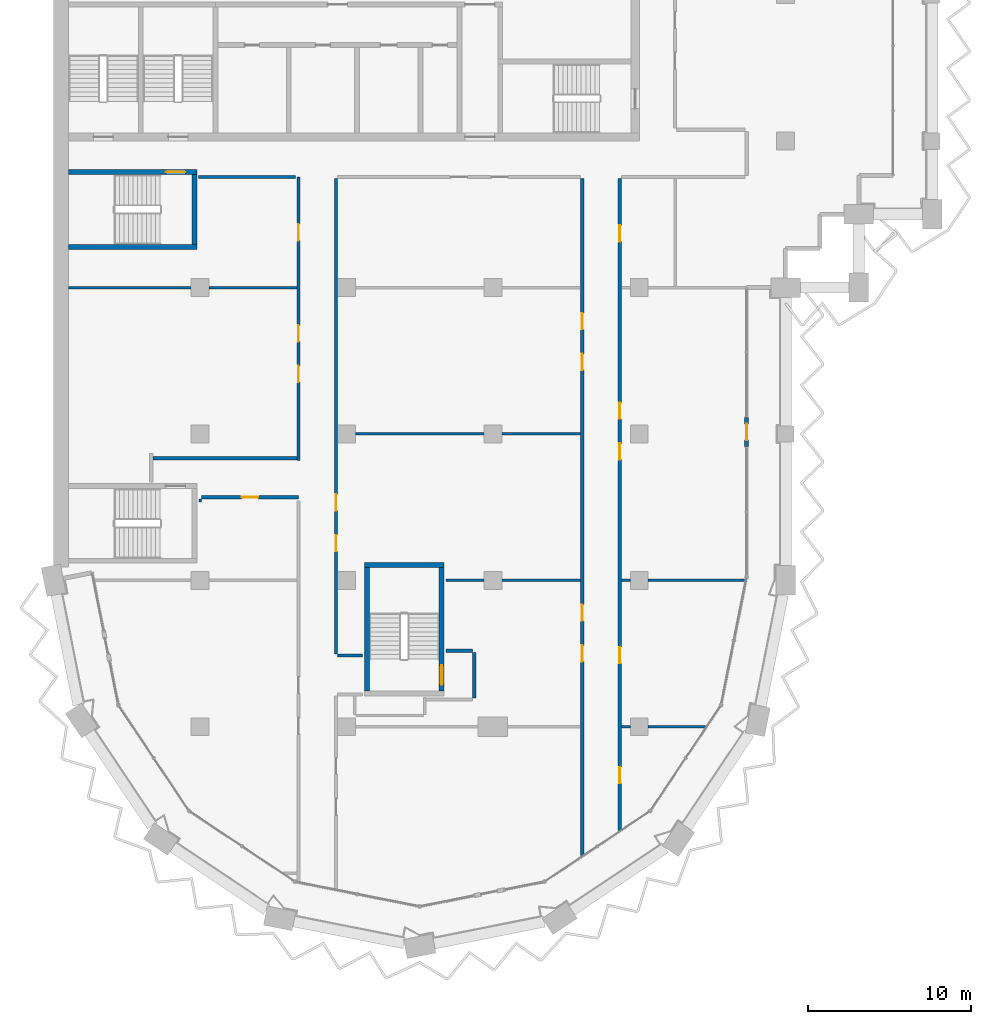
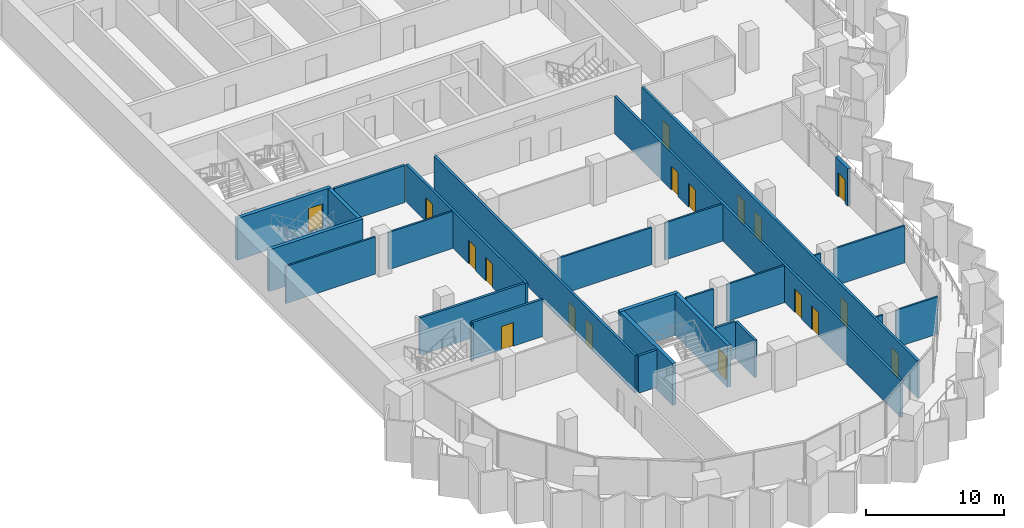
# One storey, part 8 of 17: 28 walls, 18 doors, 18 openings.
"""IFC4 building model written with IfcOpenShell, lengths in metres."""

from ifc_helpers import new_model, si_unit, direction, frame, frame_2d, origin, place, context, subcontext, project, spatial, rectangle, extrude, material, layer, layer_set, type_object, element, fill, save


model = new_model("IFC4")

# Units and contexts
model_context = context("Model", 3, precision=1e-05, world=origin(), true_north=direction((0.0, 1.0)))
body_context = subcontext(model_context, "Body", "Model", "MODEL_VIEW")
ifc_project = project(units=[si_unit("LENGTHUNIT", "METRE"), si_unit("AREAUNIT", "SQUARE_METRE"), si_unit("VOLUMEUNIT", "CUBIC_METRE"), si_unit("PLANEANGLEUNIT", "RADIAN"), si_unit("MASSUNIT", "GRAM", prefix="KILO")], contexts=[model_context])

# Site, building, storey
site_placement = place(None, origin())
site = spatial("IfcSite", under=ifc_project, at=site_placement, CompositionType="ELEMENT")
building_placement = place(site_placement, origin())
building = spatial("IfcBuilding", under=site, at=building_placement, Name="Hunhe Ridgeline Campus", CompositionType="ELEMENT")
storey_placement = place(building_placement, frame((0.0, 0.0, 190.199951171875)))
storey = spatial("IfcBuildingStorey", under=building, at=storey_placement, Name="L48", CompositionType="ELEMENT", Elevation=190.199951171875)

# Walls
ifc_material_1 = material(Name="Gypsum board partition")
ifc_layer_1 = layer(ifc_material_1, 0.199951171875)
ifc_layer_set_1 = layer_set([ifc_layer_1], Name="Corridor partition 200 gypsum board on steel studs")
wall_type_1 = type_object("IfcWallType", Name="Corridor partition 200 gypsum board on steel studs", PredefinedType="PARTITIONING", material=ifc_layer_set_1)
wall_1_placement = place(storey_placement, frame((17.449951171875, 31.375, 0.0), z_axis=(0.0, 0.0, 1.0), x_axis=(1.0, 0.0, 0.0)))
element("IfcWall", 1, at=wall_1_placement, inside=storey, type_object=wall_type_1, Name="F-L48-wall-009", PredefinedType="PARTITIONING", context=body_context, shape_type="SweptSolid", body=[
    extrude(rectangle(XDim=1.546142578125, YDim=0.199951171875, at=frame_2d((0.77294921875, 0.0))), origin(), (0.0, 0.0, 1.0), 3.300048828125),
])
wall_2_placement = place(storey_placement, frame((24.10400390625, 31.675048828125, 0.0), z_axis=(0.0, 0.0, 1.0), x_axis=(1.0, 0.0, 0.0)))
element("IfcWall", 2, at=wall_2_placement, inside=storey, type_object=wall_type_1, Name="F-L48-wall-010", PredefinedType="PARTITIONING", context=body_context, shape_type="SweptSolid", body=[
    extrude(rectangle(XDim=1.64599609375, YDim=0.199951171875, at=frame_2d((0.822998046875, 0.0))), origin(), (0.0, 0.0, 1.0), 3.300048828125),
])

# Wall, opening, door
wall_3_placement = place(storey_placement, frame((15.050048828125, 41.10009765625, 0.0), z_axis=(0.0, 0.0, 1.0), x_axis=(-1.0, 0.0, 0.0)))
wall_3 = element("IfcWall", 3, at=wall_3_placement, inside=storey, type_object=wall_type_1, Name="F-L48-wall-017", PredefinedType="PARTITIONING", context=body_context, shape_type="SweptSolid", body=[
    extrude(rectangle(XDim=5.97509765625, YDim=0.199951171875, at=frame_2d((2.987548828125, 0.0))), origin(), (0.0, 0.0, 1.0), 3.300048828125),
])
opening_1_placement = place(wall_3_placement, frame((2.487548828125, 0.0, 0.0)))
opening_1 = element("IfcOpeningElement", 4, at=opening_1_placement, cuts=wall_3, Name="Opening RD1-011", PredefinedType="OPENING", context=body_context, shape_type="SweptSolid", body=[
    extrude(rectangle(XDim=1.0, YDim=2.10009765625, at=frame_2d((0.5, 1.050048828125))), frame((0.0, 0.10009765625, 0.0), z_axis=(0.0, -1.0, 0.0), x_axis=(1.0, 0.0, 0.0)), (0.0, 0.0, 1.0), 0.199951171875),
])
ifc_material_2 = material(Name="Timber door leaf", Category="wood")
door_type_1 = type_object("IfcDoorType", Name="Single fire door 1000x2100 timber FD60", OperationType="NOTDEFINED", PredefinedType="DOOR", material=ifc_material_2)
door_1_placement = place(opening_1_placement, origin())
door_1 = element("IfcDoor", 5, at=door_1_placement, inside=storey, type_object=door_type_1, Name="F-L48-door-011", OperationType="SINGLE_SWING_LEFT", OverallHeight=2.10009765625, OverallWidth=1.0, PredefinedType="DOOR", context=body_context, shape_type="SweptSolid", body=[
    extrude(rectangle(XDim=1.0, YDim=2.10009765625, at=frame_2d((0.5, 1.050048828125))), frame((0.0, 0.02490234375, 0.0), z_axis=(0.0, -1.0, 0.0), x_axis=(1.0, 0.0, 0.0)), (0.0, 0.0, 1.0), 0.050048828125),
])
fill(opening_1, door_1)

# Walls
wall_4_placement = place(storey_placement, frame((6.10009765625, 43.5, 0.0), z_axis=(0.0, 0.0, 1.0), x_axis=(1.0, 0.0, 0.0)))
element("IfcWall", 6, at=wall_4_placement, inside=storey, type_object=wall_type_1, Name="F-L48-wall-018", PredefinedType="PARTITIONING", context=body_context, shape_type="SweptSolid", body=[
    extrude(rectangle(XDim=8.849853515625, YDim=0.199951171875, at=frame_2d((4.4248046875, 0.0))), origin(), (0.0, 0.0, 1.0), 3.300048828125),
])
wall_5_placement = place(storey_placement, frame((14.850341796875, 60.800048828125, 0.0), z_axis=(0.0, 0.0, 1.0), x_axis=(-1.0, 0.0, 0.0)))
element("IfcWall", 7, at=wall_5_placement, inside=storey, type_object=wall_type_1, Name="F-L48-wall-027", PredefinedType="PARTITIONING", context=body_context, shape_type="SweptSolid", body=[
    extrude(rectangle(XDim=5.9462890625, YDim=0.199951171875, at=frame_2d((2.97314453125, 0.0))), origin(), (0.0, 0.0, 1.0), 3.300048828125),
])

# Wall, openings, doors
wall_6_placement = place(storey_placement, frame((15.050048828125, 43.37451171875, 0.0), z_axis=(0.0, 0.0, 1.0), x_axis=(0.0, 1.0, 0.0)))
wall_6 = element("IfcWall", 8, at=wall_6_placement, inside=storey, type_object=wall_type_1, Name="F-L48-wall-038", PredefinedType="PARTITIONING", context=body_context, shape_type="SweptSolid", body=[
    extrude(rectangle(XDim=17.425537109375, YDim=0.199951171875, at=frame_2d((8.712890625, 0.0))), origin(), (0.0, 0.0, 1.0), 3.300048828125),
])
opening_2_placement = place(wall_6_placement, frame((4.803466796875, 0.0, 0.0)))
opening_2 = element("IfcOpeningElement", 9, at=opening_2_placement, cuts=wall_6, Name="Opening RD1-014", PredefinedType="OPENING", context=body_context, shape_type="SweptSolid", body=[
    extrude(rectangle(XDim=1.0, YDim=2.10009765625, at=frame_2d((0.5, 1.050048828125))), frame((0.0, 0.10009765625, 0.0), z_axis=(0.0, -1.0, 0.0), x_axis=(1.0, 0.0, 0.0)), (0.0, 0.0, 1.0), 0.199951171875),
])
opening_3_placement = place(wall_6_placement, frame((7.303466796875, 0.0, 0.0)))
opening_3 = element("IfcOpeningElement", 10, at=opening_3_placement, cuts=wall_6, Name="Opening RD1-016", PredefinedType="OPENING", context=body_context, shape_type="SweptSolid", body=[
    extrude(rectangle(XDim=1.0, YDim=2.10009765625, at=frame_2d((0.5, 1.050048828125))), frame((0.0, 0.10009765625, 0.0), z_axis=(0.0, -1.0, 0.0), x_axis=(1.0, 0.0, 0.0)), (0.0, 0.0, 1.0), 0.199951171875),
])
opening_4_placement = place(wall_6_placement, frame((13.51611328125, 0.0, 0.0)))
opening_4 = element("IfcOpeningElement", 11, at=opening_4_placement, cuts=wall_6, Name="Opening RD1-019", PredefinedType="OPENING", context=body_context, shape_type="SweptSolid", body=[
    extrude(rectangle(XDim=1.0, YDim=2.10009765625, at=frame_2d((0.5, 1.050048828125))), frame((0.0, 0.10009765625, 0.0), z_axis=(0.0, -1.0, 0.0), x_axis=(1.0, 0.0, 0.0)), (0.0, 0.0, 1.0), 0.199951171875),
])
door_2_placement = place(opening_2_placement, frame((1.0, 0.0, 0.0), z_axis=(0.0, 0.0, 1.0), x_axis=(-1.0, 0.0, 0.0)))
door_2 = element("IfcDoor", 12, at=door_2_placement, inside=storey, type_object=door_type_1, Name="F-L48-door-014", OperationType="SINGLE_SWING_RIGHT", OverallHeight=2.10009765625, OverallWidth=1.0, PredefinedType="DOOR", context=body_context, shape_type="SweptSolid", body=[
    extrude(rectangle(XDim=1.0, YDim=2.10009765625, at=frame_2d((0.5, 1.050048828125))), frame((0.0, 0.02490234375, 0.0), z_axis=(0.0, -1.0, 0.0), x_axis=(1.0, 0.0, 0.0)), (0.0, 0.0, 1.0), 0.050048828125),
])
fill(opening_2, door_2)
door_3_placement = place(opening_3_placement, frame((1.0, 0.0, 0.0), z_axis=(0.0, 0.0, 1.0), x_axis=(-1.0, 0.0, 0.0)))
door_3 = element("IfcDoor", 13, at=door_3_placement, inside=storey, type_object=door_type_1, Name="F-L48-door-016", OperationType="SINGLE_SWING_LEFT", OverallHeight=2.10009765625, OverallWidth=1.0, PredefinedType="DOOR", context=body_context, shape_type="SweptSolid", body=[
    extrude(rectangle(XDim=1.0, YDim=2.10009765625, at=frame_2d((0.5, 1.050048828125))), frame((0.0, 0.02490234375, 0.0), z_axis=(0.0, -1.0, 0.0), x_axis=(1.0, 0.0, 0.0)), (0.0, 0.0, 1.0), 0.050048828125),
])
fill(opening_3, door_3)
door_4_placement = place(opening_4_placement, origin())
door_4 = element("IfcDoor", 14, at=door_4_placement, inside=storey, type_object=door_type_1, Name="F-L48-door-019", OperationType="SINGLE_SWING_LEFT", OverallHeight=2.10009765625, OverallWidth=1.0, PredefinedType="DOOR", context=body_context, shape_type="SweptSolid", body=[
    extrude(rectangle(XDim=1.0, YDim=2.10009765625, at=frame_2d((0.5, 1.050048828125))), frame((0.0, 0.02490234375, 0.0), z_axis=(0.0, -1.0, 0.0), x_axis=(1.0, 0.0, 0.0)), (0.0, 0.0, 1.0), 0.050048828125),
])
fill(opening_4, door_4)

wall_7_placement = place(storey_placement, frame((17.35009765625, 60.699951171875, 0.0), z_axis=(0.0, 0.0, 1.0), x_axis=(0.0, -1.0, 0.0)))
wall_7 = element("IfcWall", 15, at=wall_7_placement, inside=storey, type_object=wall_type_1, Name="F-L48-wall-040", PredefinedType="PARTITIONING", context=body_context, shape_type="SweptSolid", body=[
    extrude(rectangle(XDim=29.224853515625, YDim=0.199951171875, at=frame_2d((14.6123046875, 0.0))), origin(), (0.0, 0.0, 1.0), 3.300048828125),
])
opening_5_placement = place(wall_7_placement, frame((21.922607421875, 0.0, 0.0)))
opening_5 = element("IfcOpeningElement", 16, at=opening_5_placement, cuts=wall_7, Name="Opening RD1-009", PredefinedType="OPENING", context=body_context, shape_type="SweptSolid", body=[
    extrude(rectangle(XDim=1.0, YDim=2.10009765625, at=frame_2d((0.5, 1.050048828125))), frame((0.0, 0.10009765625, 0.0), z_axis=(0.0, -1.0, 0.0), x_axis=(1.0, 0.0, 0.0)), (0.0, 0.0, 1.0), 0.199951171875),
])
opening_6_placement = place(wall_7_placement, frame((19.422607421875, 0.0, 0.0)))
opening_6 = element("IfcOpeningElement", 17, at=opening_6_placement, cuts=wall_7, Name="Opening RD1-010", PredefinedType="OPENING", context=body_context, shape_type="SweptSolid", body=[
    extrude(rectangle(XDim=1.0, YDim=2.10009765625, at=frame_2d((0.5, 1.050048828125))), frame((0.0, 0.10009765625, 0.0), z_axis=(0.0, -1.0, 0.0), x_axis=(1.0, 0.0, 0.0)), (0.0, 0.0, 1.0), 0.199951171875),
])
door_5_placement = place(opening_5_placement, frame((1.0, 0.0, 0.0), z_axis=(0.0, 0.0, 1.0), x_axis=(-1.0, 0.0, 0.0)))
door_5 = element("IfcDoor", 18, at=door_5_placement, inside=storey, type_object=door_type_1, Name="F-L48-door-009", OperationType="SINGLE_SWING_LEFT", OverallHeight=2.10009765625, OverallWidth=1.0, PredefinedType="DOOR", context=body_context, shape_type="SweptSolid", body=[
    extrude(rectangle(XDim=1.0, YDim=2.10009765625, at=frame_2d((0.5, 1.050048828125))), frame((0.0, 0.02490234375, 0.0), z_axis=(0.0, -1.0, 0.0), x_axis=(1.0, 0.0, 0.0)), (0.0, 0.0, 1.0), 0.050048828125),
])
fill(opening_5, door_5)
door_6_placement = place(opening_6_placement, frame((1.0, 0.0, 0.0), z_axis=(0.0, 0.0, 1.0), x_axis=(-1.0, 0.0, 0.0)))
door_6 = element("IfcDoor", 19, at=door_6_placement, inside=storey, type_object=door_type_1, Name="F-L48-door-010", OperationType="SINGLE_SWING_RIGHT", OverallHeight=2.10009765625, OverallWidth=1.0, PredefinedType="DOOR", context=body_context, shape_type="SweptSolid", body=[
    extrude(rectangle(XDim=1.0, YDim=2.10009765625, at=frame_2d((0.5, 1.050048828125))), frame((0.0, 0.02490234375, 0.0), z_axis=(0.0, -1.0, 0.0), x_axis=(1.0, 0.0, 0.0)), (0.0, 0.0, 1.0), 0.050048828125),
])
fill(opening_6, door_6)

# Wall
wall_8_placement = place(storey_placement, frame((25.85009765625, 31.574951171875, 0.0), z_axis=(0.0, 0.0, 1.0), x_axis=(0.0, -1.0, 0.0)))
element("IfcWall", 20, at=wall_8_placement, inside=storey, type_object=wall_type_1, Name="F-L48-wall-043", PredefinedType="PARTITIONING", context=body_context, shape_type="SweptSolid", body=[
    extrude(rectangle(XDim=2.800048828125, YDim=0.199951171875, at=frame_2d((1.39990234375, 0.0))), origin(), (0.0, 0.0, 1.0), 3.300048828125),
])

# Wall, openings, doors
wall_9_placement = place(storey_placement, frame((32.5, 19.09375, 0.0), z_axis=(0.0, 0.0, 1.0), x_axis=(0.0, 1.0, 0.0)))
wall_9 = element("IfcWall", 21, at=wall_9_placement, inside=storey, type_object=wall_type_1, Name="F-L48-wall-044", PredefinedType="PARTITIONING", context=body_context, shape_type="SweptSolid", body=[
    extrude(rectangle(XDim=41.606201171875, YDim=0.199951171875, at=frame_2d((20.80322265625, 0.0))), origin(), (0.0, 0.0, 1.0), 3.300048828125),
])
opening_7_placement = place(wall_9_placement, frame((11.90673828125, 0.0, 0.0)))
opening_7 = element("IfcOpeningElement", 22, at=opening_7_placement, cuts=wall_9, Name="Opening RD1-007", PredefinedType="OPENING", context=body_context, shape_type="SweptSolid", body=[
    extrude(rectangle(XDim=1.0, YDim=2.10009765625, at=frame_2d((0.5, 1.050048828125))), frame((0.0, 0.10009765625, 0.0), z_axis=(0.0, -1.0, 0.0), x_axis=(1.0, 0.0, 0.0)), (0.0, 0.0, 1.0), 0.199951171875),
])
opening_8_placement = place(wall_9_placement, frame((14.40673828125, 0.0, 0.0)))
opening_8 = element("IfcOpeningElement", 23, at=opening_8_placement, cuts=wall_9, Name="Opening RD1-008", PredefinedType="OPENING", context=body_context, shape_type="SweptSolid", body=[
    extrude(rectangle(XDim=1.0, YDim=2.10009765625, at=frame_2d((0.5, 1.050048828125))), frame((0.0, 0.10009765625, 0.0), z_axis=(0.0, -1.0, 0.0), x_axis=(1.0, 0.0, 0.0)), (0.0, 0.0, 1.0), 0.199951171875),
])
opening_9_placement = place(wall_9_placement, frame((29.827392578125, 0.0, 0.0)))
opening_9 = element("IfcOpeningElement", 24, at=opening_9_placement, cuts=wall_9, Name="Opening RD1-015", PredefinedType="OPENING", context=body_context, shape_type="SweptSolid", body=[
    extrude(rectangle(XDim=1.0, YDim=2.10009765625, at=frame_2d((0.5, 1.050048828125))), frame((0.0, 0.10009765625, 0.0), z_axis=(0.0, -1.0, 0.0), x_axis=(1.0, 0.0, 0.0)), (0.0, 0.0, 1.0), 0.199951171875),
])
opening_10_placement = place(wall_9_placement, frame((32.327392578125, 0.0, 0.0)))
opening_10 = element("IfcOpeningElement", 25, at=opening_10_placement, cuts=wall_9, Name="Opening RD1-017", PredefinedType="OPENING", context=body_context, shape_type="SweptSolid", body=[
    extrude(rectangle(XDim=1.0, YDim=2.10009765625, at=frame_2d((0.5, 1.050048828125))), frame((0.0, 0.10009765625, 0.0), z_axis=(0.0, -1.0, 0.0), x_axis=(1.0, 0.0, 0.0)), (0.0, 0.0, 1.0), 0.199951171875),
])
door_7_placement = place(opening_7_placement, frame((1.0, 0.0, 0.0), z_axis=(0.0, 0.0, 1.0), x_axis=(-1.0, 0.0, 0.0)))
door_7 = element("IfcDoor", 26, at=door_7_placement, inside=storey, type_object=door_type_1, Name="F-L48-door-007", OperationType="SINGLE_SWING_LEFT", OverallHeight=2.10009765625, OverallWidth=1.0, PredefinedType="DOOR", context=body_context, shape_type="SweptSolid", body=[
    extrude(rectangle(XDim=1.0, YDim=2.10009765625, at=frame_2d((0.5, 1.050048828125))), frame((0.0, 0.02490234375, 0.0), z_axis=(0.0, -1.0, 0.0), x_axis=(1.0, 0.0, 0.0)), (0.0, 0.0, 1.0), 0.050048828125),
])
fill(opening_7, door_7)
door_8_placement = place(opening_8_placement, frame((1.0, 0.0, 0.0), z_axis=(0.0, 0.0, 1.0), x_axis=(-1.0, 0.0, 0.0)))
door_8 = element("IfcDoor", 27, at=door_8_placement, inside=storey, type_object=door_type_1, Name="F-L48-door-008", OperationType="SINGLE_SWING_LEFT", OverallHeight=2.10009765625, OverallWidth=1.0, PredefinedType="DOOR", context=body_context, shape_type="SweptSolid", body=[
    extrude(rectangle(XDim=1.0, YDim=2.10009765625, at=frame_2d((0.5, 1.050048828125))), frame((0.0, 0.02490234375, 0.0), z_axis=(0.0, -1.0, 0.0), x_axis=(1.0, 0.0, 0.0)), (0.0, 0.0, 1.0), 0.050048828125),
])
fill(opening_8, door_8)
door_9_placement = place(opening_9_placement, frame((1.0, 0.0, 0.0), z_axis=(0.0, 0.0, 1.0), x_axis=(-1.0, 0.0, 0.0)))
door_9 = element("IfcDoor", 28, at=door_9_placement, inside=storey, type_object=door_type_1, Name="F-L48-door-015", OperationType="SINGLE_SWING_LEFT", OverallHeight=2.10009765625, OverallWidth=1.0, PredefinedType="DOOR", context=body_context, shape_type="SweptSolid", body=[
    extrude(rectangle(XDim=1.0, YDim=2.10009765625, at=frame_2d((0.5, 1.050048828125))), frame((0.0, 0.02490234375, 0.0), z_axis=(0.0, -1.0, 0.0), x_axis=(1.0, 0.0, 0.0)), (0.0, 0.0, 1.0), 0.050048828125),
])
fill(opening_9, door_9)
door_10_placement = place(opening_10_placement, frame((1.0, 0.0, 0.0), z_axis=(0.0, 0.0, 1.0), x_axis=(-1.0, 0.0, 0.0)))
door_10 = element("IfcDoor", 29, at=door_10_placement, inside=storey, type_object=door_type_1, Name="F-L48-door-017", OperationType="SINGLE_SWING_LEFT", OverallHeight=2.10009765625, OverallWidth=1.0, PredefinedType="DOOR", context=body_context, shape_type="SweptSolid", body=[
    extrude(rectangle(XDim=1.0, YDim=2.10009765625, at=frame_2d((0.5, 1.050048828125))), frame((0.0, 0.02490234375, 0.0), z_axis=(0.0, -1.0, 0.0), x_axis=(1.0, 0.0, 0.0)), (0.0, 0.0, 1.0), 0.050048828125),
])
fill(opening_10, door_10)

wall_10_placement = place(storey_placement, frame((34.800048828125, 60.699951171875, 0.0), z_axis=(0.0, 0.0, 1.0), x_axis=(0.0, -1.0, 0.0)))
wall_10 = element("IfcWall", 30, at=wall_10_placement, inside=storey, type_object=wall_type_1, Name="F-L48-wall-045", PredefinedType="PARTITIONING", context=body_context, shape_type="SweptSolid", body=[
    extrude(rectangle(XDim=40.0693359375, YDim=0.199951171875, at=frame_2d((20.03466796875, 0.0))), origin(), (0.0, 0.0, 1.0), 3.300048828125),
])
opening_11_placement = place(wall_10_placement, frame((36.1884765625, 0.0, 0.0)))
opening_11 = element("IfcOpeningElement", 31, at=opening_11_placement, cuts=wall_10, Name="Opening RD1-002", PredefinedType="OPENING", context=body_context, shape_type="SweptSolid", body=[
    extrude(rectangle(XDim=1.0, YDim=2.10009765625, at=frame_2d((0.5, 1.050048828125))), frame((0.0, 0.10009765625, 0.0), z_axis=(0.0, -1.0, 0.0), x_axis=(1.0, 0.0, 0.0)), (0.0, 0.0, 1.0), 0.199951171875),
])
opening_12_placement = place(wall_10_placement, frame((28.80078125, 0.0, 0.0)))
opening_12 = element("IfcOpeningElement", 32, at=opening_12_placement, cuts=wall_10, Name="Opening RD1-006", PredefinedType="OPENING", context=body_context, shape_type="SweptSolid", body=[
    extrude(rectangle(XDim=1.0, YDim=2.10009765625, at=frame_2d((0.5, 1.050048828125))), frame((0.0, 0.10009765625, 0.0), z_axis=(0.0, -1.0, 0.0), x_axis=(1.0, 0.0, 0.0)), (0.0, 0.0, 1.0), 0.199951171875),
])
opening_13_placement = place(wall_10_placement, frame((16.27734375, 0.0, 0.0)))
opening_13 = element("IfcOpeningElement", 33, at=opening_13_placement, cuts=wall_10, Name="Opening RD1-012", PredefinedType="OPENING", context=body_context, shape_type="SweptSolid", body=[
    extrude(rectangle(XDim=1.0, YDim=2.10009765625, at=frame_2d((0.5, 1.050048828125))), frame((0.0, 0.10009765625, 0.0), z_axis=(0.0, -1.0, 0.0), x_axis=(1.0, 0.0, 0.0)), (0.0, 0.0, 1.0), 0.199951171875),
])
opening_14_placement = place(wall_10_placement, frame((13.77734375, 0.0, 0.0)))
opening_14 = element("IfcOpeningElement", 34, at=opening_14_placement, cuts=wall_10, Name="Opening RD1-013", PredefinedType="OPENING", context=body_context, shape_type="SweptSolid", body=[
    extrude(rectangle(XDim=1.0, YDim=2.10009765625, at=frame_2d((0.5, 1.050048828125))), frame((0.0, 0.10009765625, 0.0), z_axis=(0.0, -1.0, 0.0), x_axis=(1.0, 0.0, 0.0)), (0.0, 0.0, 1.0), 0.199951171875),
])
opening_15_placement = place(wall_10_placement, frame((2.880859375, 0.0, 0.0)))
opening_15 = element("IfcOpeningElement", 35, at=opening_15_placement, cuts=wall_10, Name="Opening RD1-018", PredefinedType="OPENING", context=body_context, shape_type="SweptSolid", body=[
    extrude(rectangle(XDim=1.0, YDim=2.10009765625, at=frame_2d((0.5, 1.050048828125))), frame((0.0, 0.10009765625, 0.0), z_axis=(0.0, -1.0, 0.0), x_axis=(1.0, 0.0, 0.0)), (0.0, 0.0, 1.0), 0.199951171875),
])
door_11_placement = place(opening_11_placement, origin())
door_11 = element("IfcDoor", 36, at=door_11_placement, inside=storey, type_object=door_type_1, Name="F-L48-door-002", OperationType="SINGLE_SWING_LEFT", OverallHeight=2.10009765625, OverallWidth=1.0, PredefinedType="DOOR", context=body_context, shape_type="SweptSolid", body=[
    extrude(rectangle(XDim=1.0, YDim=2.10009765625, at=frame_2d((0.5, 1.050048828125))), frame((0.0, 0.02490234375, 0.0), z_axis=(0.0, -1.0, 0.0), x_axis=(1.0, 0.0, 0.0)), (0.0, 0.0, 1.0), 0.050048828125),
])
fill(opening_11, door_11)
door_12_placement = place(opening_12_placement, origin())
door_12 = element("IfcDoor", 37, at=door_12_placement, inside=storey, type_object=door_type_1, Name="F-L48-door-006", OperationType="SINGLE_SWING_LEFT", OverallHeight=2.10009765625, OverallWidth=1.0, PredefinedType="DOOR", context=body_context, shape_type="SweptSolid", body=[
    extrude(rectangle(XDim=1.0, YDim=2.10009765625, at=frame_2d((0.5, 1.050048828125))), frame((0.0, 0.02490234375, 0.0), z_axis=(0.0, -1.0, 0.0), x_axis=(1.0, 0.0, 0.0)), (0.0, 0.0, 1.0), 0.050048828125),
])
fill(opening_12, door_12)
door_13_placement = place(opening_13_placement, frame((1.0, 0.0, 0.0), z_axis=(0.0, 0.0, 1.0), x_axis=(-1.0, 0.0, 0.0)))
door_13 = element("IfcDoor", 38, at=door_13_placement, inside=storey, type_object=door_type_1, Name="F-L48-door-012", OperationType="SINGLE_SWING_LEFT", OverallHeight=2.10009765625, OverallWidth=1.0, PredefinedType="DOOR", context=body_context, shape_type="SweptSolid", body=[
    extrude(rectangle(XDim=1.0, YDim=2.10009765625, at=frame_2d((0.5, 1.050048828125))), frame((0.0, 0.02490234375, 0.0), z_axis=(0.0, -1.0, 0.0), x_axis=(1.0, 0.0, 0.0)), (0.0, 0.0, 1.0), 0.050048828125),
])
fill(opening_13, door_13)
door_14_placement = place(opening_14_placement, frame((1.0, 0.0, 0.0), z_axis=(0.0, 0.0, 1.0), x_axis=(-1.0, 0.0, 0.0)))
door_14 = element("IfcDoor", 39, at=door_14_placement, inside=storey, type_object=door_type_1, Name="F-L48-door-013", OperationType="SINGLE_SWING_RIGHT", OverallHeight=2.10009765625, OverallWidth=1.0, PredefinedType="DOOR", context=body_context, shape_type="SweptSolid", body=[
    extrude(rectangle(XDim=1.0, YDim=2.10009765625, at=frame_2d((0.5, 1.050048828125))), frame((0.0, 0.02490234375, 0.0), z_axis=(0.0, -1.0, 0.0), x_axis=(1.0, 0.0, 0.0)), (0.0, 0.0, 1.0), 0.050048828125),
])
fill(opening_14, door_14)
door_15_placement = place(opening_15_placement, origin())
door_15 = element("IfcDoor", 40, at=door_15_placement, inside=storey, type_object=door_type_1, Name="F-L48-door-018", OperationType="SINGLE_SWING_LEFT", OverallHeight=2.10009765625, OverallWidth=1.0, PredefinedType="DOOR", context=body_context, shape_type="SweptSolid", body=[
    extrude(rectangle(XDim=1.0, YDim=2.10009765625, at=frame_2d((0.5, 1.050048828125))), frame((0.0, 0.02490234375, 0.0), z_axis=(0.0, -1.0, 0.0), x_axis=(1.0, 0.0, 0.0)), (0.0, 0.0, 1.0), 0.050048828125),
])
fill(opening_15, door_15)

# Wall, opening, door
ifc_material_3 = material(Name="Concrete C30", Category="concrete")
ifc_layer_2 = layer(ifc_material_3, 0.25)
ifc_layer_set_2 = layer_set([ifc_layer_2], Name="Loggia door pier wall 250 Concrete C30")
wall_type_2 = type_object("IfcWallType", Name="Loggia door pier wall 250 Concrete C30", PredefinedType="SOLIDWALL", material=ifc_layer_set_2)
wall_11_placement = place(storey_placement, frame((42.59912109375, 44.218505859375, 0.0), z_axis=(0.0, 0.0, 1.0), x_axis=(0.0, 1.0, 0.0)))
wall_11 = element("IfcWall", 41, at=wall_11_placement, inside=storey, type_object=wall_type_2, Name="Loggia door pier 3", PredefinedType="SOLIDWALL", context=body_context, shape_type="SweptSolid", body=[
    extrude(rectangle(XDim=1.800048828125, YDim=0.25, at=frame_2d((0.89990234375, 0.0))), origin(), (0.0, 0.0, 1.0), 3.300048828125),
])
opening_16_placement = place(wall_11_placement, frame((0.39990234375, 0.0, 0.0)))
opening_16 = element("IfcOpeningElement", 42, at=opening_16_placement, cuts=wall_11, Name="Opening BD405", PredefinedType="OPENING", context=body_context, shape_type="SweptSolid", body=[
    extrude(rectangle(XDim=1.0, YDim=2.10009765625, at=frame_2d((0.5, 1.050048828125))), frame((0.0, 0.125, 0.0), z_axis=(0.0, -1.0, 0.0), x_axis=(1.0, 0.0, 0.0)), (0.0, 0.0, 1.0), 0.25),
])
ifc_material_4 = material(Name="Aluminium 6063", Category="aluminium")
door_type_2 = type_object("IfcDoorType", Name="Loggia glazed door 1000x2100", OperationType="NOTDEFINED", PredefinedType="DOOR", material=ifc_material_4)
door_16_placement = place(opening_16_placement, frame((1.0, 0.0, 0.0), z_axis=(0.0, 0.0, 1.0), x_axis=(-1.0, 0.0, 0.0)))
door_16 = element("IfcDoor", 43, at=door_16_placement, inside=storey, type_object=door_type_2, Name="Loggia door BD405", OperationType="SINGLE_SWING_RIGHT", OverallHeight=2.10009765625, OverallWidth=1.0, PredefinedType="DOOR", context=body_context, shape_type="SweptSolid", body=[
    extrude(rectangle(XDim=1.0, YDim=2.10009765625, at=frame_2d((0.5, 1.050048828125))), frame((0.0, 0.02490234375, 0.0), z_axis=(0.0, -1.0, 0.0), x_axis=(1.0, 0.0, 0.0)), (0.0, 0.0, 1.0), 0.050048828125),
])
fill(opening_16, door_16)

# Walls
ifc_layer_3 = layer(ifc_material_1, 0.14990234375)
ifc_layer_set_3 = layer_set([ifc_layer_3], Name="Room partition 150 gypsum board on steel studs")
wall_type_3 = type_object("IfcWallType", Name="Room partition 150 gypsum board on steel studs", PredefinedType="PARTITIONING", material=ifc_layer_set_3)
wall_12_placement = place(storey_placement, frame((34.89990234375, 27.0, 0.0), z_axis=(0.0, 0.0, 1.0), x_axis=(1.0, 0.0, 0.0)))
element("IfcWall", 44, at=wall_12_placement, inside=storey, type_object=wall_type_3, Name="F-L48-wall-004", PredefinedType="PARTITIONING", context=body_context, shape_type="SweptSolid", body=[
    extrude(rectangle(XDim=0.550048828125, YDim=0.14990234375, at=frame_2d((0.27490234375, 0.0))), origin(), (0.0, 0.0, 1.0), 3.300048828125),
])
wall_13_placement = place(storey_placement, frame((36.550048828125, 27.0, 0.0), z_axis=(0.0, 0.0, 1.0), x_axis=(1.0, 0.0, 0.0)))
element("IfcWall", 45, at=wall_13_placement, inside=storey, type_object=wall_type_3, Name="F-L48-wall-005", PredefinedType="PARTITIONING", context=body_context, shape_type="SweptSolid", body=[
    extrude(rectangle(XDim=3.5244140625, YDim=0.14990234375, at=frame_2d((1.76220703125, 0.0))), origin(), (0.0, 0.0, 1.0), 3.300048828125),
])
wall_14_placement = place(storey_placement, frame((24.10400390625, 36.0, 0.0), z_axis=(0.0, 0.0, 1.0), x_axis=(1.0, 0.0, 0.0)))
element("IfcWall", 46, at=wall_14_placement, inside=storey, type_object=wall_type_3, Name="F-L48-wall-013", PredefinedType="PARTITIONING", context=body_context, shape_type="SweptSolid", body=[
    extrude(rectangle(XDim=2.345947265625, YDim=0.14990234375, at=frame_2d((1.1728515625, 0.0))), origin(), (0.0, 0.0, 1.0), 3.300048828125),
])
wall_15_placement = place(storey_placement, frame((27.550048828125, 36.0, 0.0), z_axis=(0.0, 0.0, 1.0), x_axis=(1.0, 0.0, 0.0)))
element("IfcWall", 47, at=wall_15_placement, inside=storey, type_object=wall_type_3, Name="F-L48-wall-014", PredefinedType="PARTITIONING", context=body_context, shape_type="SweptSolid", body=[
    extrude(rectangle(XDim=4.849853515625, YDim=0.14990234375, at=frame_2d((2.4248046875, 0.0))), origin(), (0.0, 0.0, 1.0), 3.300048828125),
])
wall_16_placement = place(storey_placement, frame((34.89990234375, 36.0, 0.0), z_axis=(0.0, 0.0, 1.0), x_axis=(1.0, 0.0, 0.0)))
element("IfcWall", 48, at=wall_16_placement, inside=storey, type_object=wall_type_3, Name="F-L48-wall-015", PredefinedType="PARTITIONING", context=body_context, shape_type="SweptSolid", body=[
    extrude(rectangle(XDim=0.550048828125, YDim=0.14990234375, at=frame_2d((0.27490234375, 0.0))), origin(), (0.0, 0.0, 1.0), 3.300048828125),
])
wall_17_placement = place(storey_placement, frame((36.550048828125, 36.0, 0.0), z_axis=(0.0, 0.0, 1.0), x_axis=(1.0, 0.0, 0.0)))
element("IfcWall", 49, at=wall_17_placement, inside=storey, type_object=wall_type_3, Name="F-L48-wall-016", PredefinedType="PARTITIONING", context=body_context, shape_type="SweptSolid", body=[
    extrude(rectangle(XDim=5.94677734375, YDim=0.14990234375, at=frame_2d((2.973388671875, 0.0))), origin(), (0.0, 0.0, 1.0), 3.300048828125),
])
wall_18_placement = place(storey_placement, frame((18.550048828125, 45.0, 0.0), z_axis=(0.0, 0.0, 1.0), x_axis=(1.0, 0.0, 0.0)))
element("IfcWall", 50, at=wall_18_placement, inside=storey, type_object=wall_type_3, Name="F-L48-wall-019", PredefinedType="PARTITIONING", context=body_context, shape_type="SweptSolid", body=[
    extrude(rectangle(XDim=7.89990234375, YDim=0.14990234375, at=frame_2d((3.949951171875, 0.0))), origin(), (0.0, 0.0, 1.0), 3.300048828125),
])
wall_19_placement = place(storey_placement, frame((27.550048828125, 45.0, 0.0), z_axis=(0.0, 0.0, 1.0), x_axis=(1.0, 0.0, 0.0)))
element("IfcWall", 51, at=wall_19_placement, inside=storey, type_object=wall_type_3, Name="F-L48-wall-020", PredefinedType="PARTITIONING", context=body_context, shape_type="SweptSolid", body=[
    extrude(rectangle(XDim=4.849853515625, YDim=0.14990234375, at=frame_2d((2.4248046875, 0.0))), origin(), (0.0, 0.0, 1.0), 3.300048828125),
])
wall_20_placement = place(storey_placement, frame((0.919921875, 54.0, 0.0), z_axis=(0.0, 0.0, 1.0), x_axis=(1.0, 0.0, 0.0)))
element("IfcWall", 52, at=wall_20_placement, inside=storey, type_object=wall_type_3, Name="F-L48-wall-021", PredefinedType="PARTITIONING", context=body_context, shape_type="SweptSolid", body=[
    extrude(rectangle(XDim=7.530029296875, YDim=0.14990234375, at=frame_2d((3.76513671875, 0.0))), origin(), (0.0, 0.0, 1.0), 3.300048828125),
])
wall_21_placement = place(storey_placement, frame((9.550048828125, 54.0, 0.0), z_axis=(0.0, 0.0, 1.0), x_axis=(1.0, 0.0, 0.0)))
element("IfcWall", 53, at=wall_21_placement, inside=storey, type_object=wall_type_3, Name="F-L48-wall-022", PredefinedType="PARTITIONING", context=body_context, shape_type="SweptSolid", body=[
    extrude(rectangle(XDim=5.39990234375, YDim=0.14990234375, at=frame_2d((2.699951171875, 0.0))), origin(), (0.0, 0.0, 1.0), 3.300048828125),
])
wall_22_placement = place(storey_placement, frame((9.0, 41.0, 0.0), z_axis=(0.0, 0.0, 1.0), x_axis=(0.0, -1.0, 0.0)))
element("IfcWall", 54, at=wall_22_placement, inside=storey, type_object=wall_type_3, Name="F-L48-wall-036", PredefinedType="PARTITIONING", context=body_context, shape_type="SweptSolid", body=[
    extrude(rectangle(XDim=0.199951171875, YDim=0.14990234375, at=frame_2d((0.10009765625, 0.0))), origin(), (0.0, 0.0, 1.0), 3.300048828125),
])
ifc_material_5 = material(Name="Concrete C60", Category="concrete")
ifc_layer_4 = layer(ifc_material_5, 0.300048828125)
ifc_layer_set_4 = layer_set([ifc_layer_4], Name="Stair wall 300 reinforced concrete C60")
wall_type_4 = type_object("IfcWallType", Name="Stair wall 300 reinforced concrete C60", PredefinedType="SOLIDWALL", material=ifc_layer_set_4)
wall_23_placement = place(storey_placement, frame((19.10009765625, 36.949951171875, -0.39990234375), z_axis=(0.0, 0.0, 1.0), x_axis=(1.0, 0.0, 0.0)))
element("IfcWall", 55, at=wall_23_placement, inside=storey, type_object=wall_type_4, Name="L48 core wall 2", PredefinedType="SOLIDWALL", context=body_context, shape_type="SweptSolid", body=[
    extrude(rectangle(XDim=4.89990234375, YDim=0.300048828125, at=frame_2d((2.449951171875, 0.0))), origin(), (0.0, 0.0, 1.0), 3.699951171875),
])
wall_24_placement = place(storey_placement, frame((0.89990234375, 56.5, -0.39990234375), z_axis=(0.0, 0.0, 1.0), x_axis=(1.0, 0.0, 0.0)))
element("IfcWall", 56, at=wall_24_placement, inside=storey, type_object=wall_type_4, Name="L48 core wall 5", PredefinedType="SOLIDWALL", context=body_context, shape_type="SweptSolid", body=[
    extrude(rectangle(XDim=7.900146484375, YDim=0.300048828125, at=frame_2d((3.9501953125, 0.0))), origin(), (0.0, 0.0, 1.0), 3.699951171875),
])

# Wall, opening, door
wall_25_placement = place(storey_placement, frame((0.89990234375, 61.10009765625, -0.39990234375), z_axis=(0.0, 0.0, 1.0), x_axis=(1.0, 0.0, 0.0)))
wall_25 = element("IfcWall", 57, at=wall_25_placement, inside=storey, type_object=wall_type_4, Name="L48 core wall 6", PredefinedType="SOLIDWALL", context=body_context, shape_type="SweptSolid", body=[
    extrude(rectangle(XDim=7.900146484375, YDim=0.300048828125, at=frame_2d((3.9501953125, 0.0))), origin(), (0.0, 0.0, 1.0), 3.699951171875),
])
opening_17_placement = place(wall_25_placement, frame((6.0, 0.0, 0.39990234375)))
opening_17 = element("IfcOpeningElement", 58, at=opening_17_placement, cuts=wall_25, Name="Opening CD22", PredefinedType="OPENING", context=body_context, shape_type="SweptSolid", body=[
    extrude(rectangle(XDim=1.199951171875, YDim=2.10009765625, at=frame_2d((0.60009765625, 1.050048828125))), frame((0.0, 0.14990234375, 0.0), z_axis=(0.0, -1.0, 0.0), x_axis=(1.0, 0.0, 0.0)), (0.0, 0.0, 1.0), 0.300048828125),
])
ifc_material_6 = material(Name="Hollow metal fire door leaf")
door_type_3 = type_object("IfcDoorType", Name="Stair door 1200x2100 FD60", OperationType="SINGLE_SWING_LEFT", PredefinedType="DOOR", material=ifc_material_6)
door_17_placement = place(opening_17_placement, origin())
door_17 = element("IfcDoor", 59, at=door_17_placement, inside=storey, type_object=door_type_3, Name="L48 door W2", OperationType="SINGLE_SWING_RIGHT", OverallHeight=2.10009765625, OverallWidth=1.199951171875, PredefinedType="DOOR", context=body_context, shape_type="SweptSolid", body=[
    extrude(rectangle(XDim=1.199951171875, YDim=2.10009765625, at=frame_2d((0.60009765625, 1.050048828125))), frame((0.0, 0.02490234375, 0.0), z_axis=(0.0, -1.0, 0.0), x_axis=(1.0, 0.0, 0.0)), (0.0, 0.0, 1.0), 0.050048828125),
])
fill(opening_17, door_17)

# Walls
wall_26_placement = place(storey_placement, frame((8.64990234375, 56.64990234375, -0.39990234375), z_axis=(0.0, 0.0, 1.0), x_axis=(0.0, 1.0, 0.0)))
element("IfcWall", 60, at=wall_26_placement, inside=storey, type_object=wall_type_4, Name="L48 core wall 30", PredefinedType="SOLIDWALL", context=body_context, shape_type="SweptSolid", body=[
    extrude(rectangle(XDim=4.300048828125, YDim=0.300048828125, at=frame_2d((2.14990234375, 0.0))), origin(), (0.0, 0.0, 1.0), 3.699951171875),
])
wall_27_placement = place(storey_placement, frame((19.25, 29.199951171875, -0.39990234375), z_axis=(0.0, 0.0, 1.0), x_axis=(0.0, 1.0, 0.0)))
element("IfcWall", 61, at=wall_27_placement, inside=storey, type_object=wall_type_4, Name="L48 core wall 40", PredefinedType="SOLIDWALL", context=body_context, shape_type="SweptSolid", body=[
    extrude(rectangle(XDim=7.60009765625, YDim=0.300048828125, at=frame_2d((3.800048828125, 0.0))), origin(), (0.0, 0.0, 1.0), 3.699951171875),
])

# Wall, opening, door
wall_28_placement = place(storey_placement, frame((23.85009765625, 29.199951171875, -0.39990234375), z_axis=(0.0, 0.0, 1.0), x_axis=(0.0, 1.0, 0.0)))
wall_28 = element("IfcWall", 62, at=wall_28_placement, inside=storey, type_object=wall_type_4, Name="L48 core wall 45", PredefinedType="SOLIDWALL", context=body_context, shape_type="SweptSolid", body=[
    extrude(rectangle(XDim=7.60009765625, YDim=0.300048828125, at=frame_2d((3.800048828125, 0.0))), origin(), (0.0, 0.0, 1.0), 3.699951171875),
])
opening_18_placement = place(wall_28_placement, frame((0.375, 0.0, 0.39990234375)))
opening_18 = element("IfcOpeningElement", 63, at=opening_18_placement, cuts=wall_28, Name="Opening CD23", PredefinedType="OPENING", context=body_context, shape_type="SweptSolid", body=[
    extrude(rectangle(XDim=1.199951171875, YDim=2.10009765625, at=frame_2d((0.60009765625, 1.050048828125))), frame((0.0, 0.14990234375, 0.0), z_axis=(0.0, -1.0, 0.0), x_axis=(1.0, 0.0, 0.0)), (0.0, 0.0, 1.0), 0.300048828125),
])
door_18_placement = place(opening_18_placement, frame((1.199951171875, 0.0, 0.0), z_axis=(0.0, 0.0, 1.0), x_axis=(-1.0, 0.0, 0.0)))
door_18 = element("IfcDoor", 64, at=door_18_placement, inside=storey, type_object=door_type_3, Name="L48 door W3", OperationType="SINGLE_SWING_RIGHT", OverallHeight=2.10009765625, OverallWidth=1.199951171875, PredefinedType="DOOR", context=body_context, shape_type="SweptSolid", body=[
    extrude(rectangle(XDim=1.199951171875, YDim=2.10009765625, at=frame_2d((0.60009765625, 1.050048828125))), frame((0.0, 0.02490234375, 0.0), z_axis=(0.0, -1.0, 0.0), x_axis=(1.0, 0.0, 0.0)), (0.0, 0.0, 1.0), 0.050048828125),
])
fill(opening_18, door_18)

save(model, "model.ifc")
